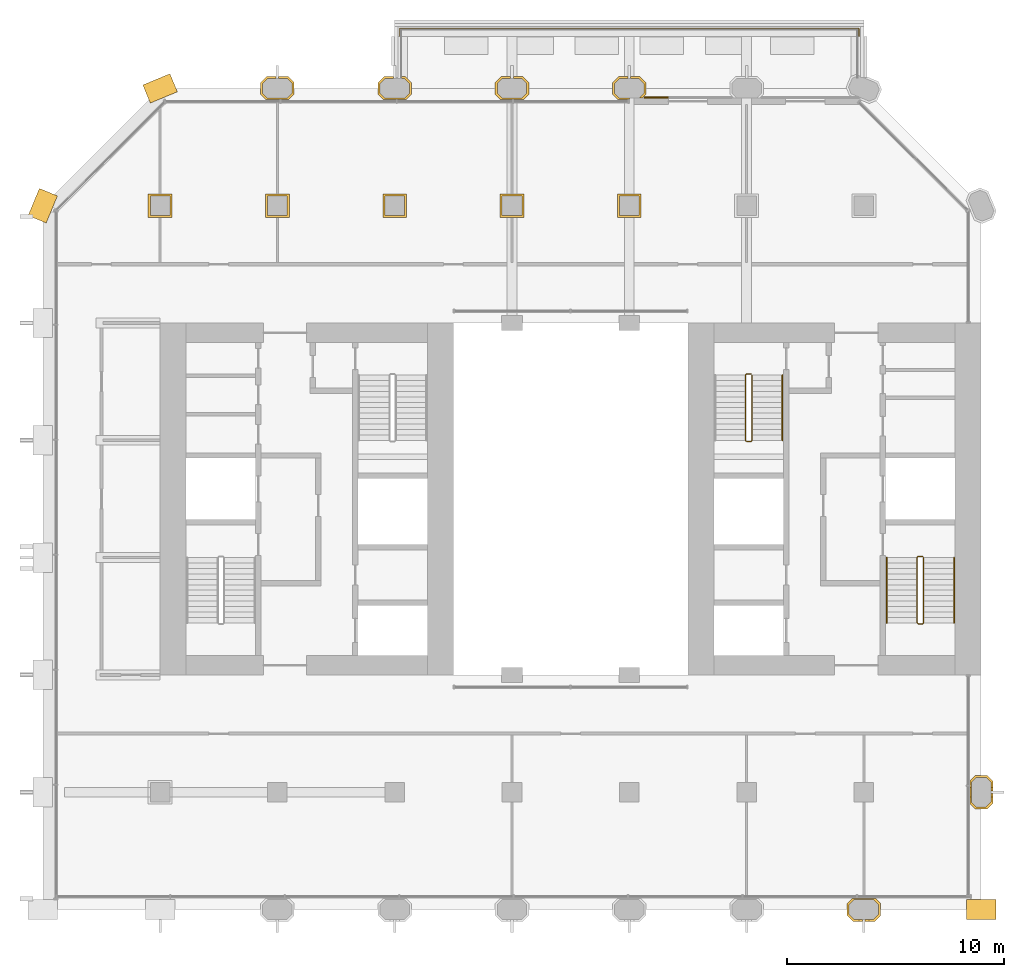
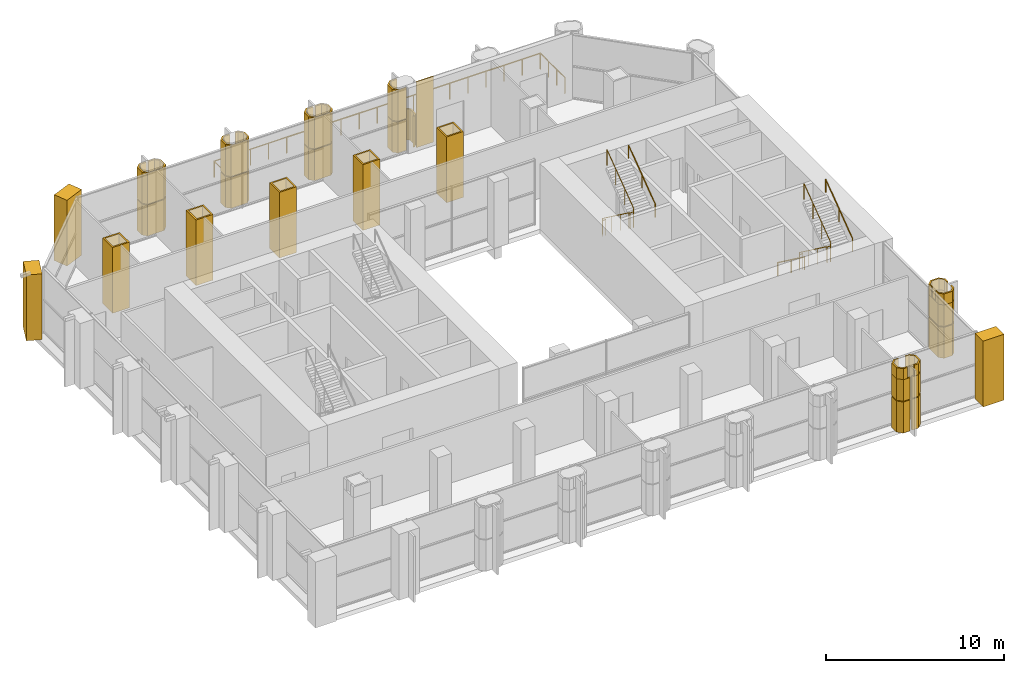
# One storey, part 14 of 15: 26 coverings, 6 railings.
"""IFC4 building model written with IfcOpenShell, lengths in metres."""

from ifc_helpers import new_model, si_unit, direction, frame, frame_2d, origin, origin_2d, place, context, subcontext, project, spatial, polyline, rectangle, circle, outline, extrude, material, layer, layer_set, type_object, element, save


model = new_model("IFC4")

# Units and contexts
model_context = context("Model", 3, precision=1e-05, world=origin(), true_north=direction((0.0, 1.0)))
body_context = subcontext(model_context, "Body", "Model", "MODEL_VIEW")
ifc_project = project(units=[si_unit("LENGTHUNIT", "METRE"), si_unit("AREAUNIT", "SQUARE_METRE"), si_unit("VOLUMEUNIT", "CUBIC_METRE"), si_unit("PLANEANGLEUNIT", "RADIAN"), si_unit("MASSUNIT", "GRAM", prefix="KILO")], contexts=[model_context])

# Site, building, storey
site_placement = place(None, origin())
site = spatial("IfcSite", under=ifc_project, at=site_placement, CompositionType="ELEMENT")
building_placement = place(site_placement, origin())
building = spatial("IfcBuilding", under=site, at=building_placement, Name="Tabaq Tower and Sports Hall", CompositionType="ELEMENT")
storey_placement = place(building_placement, frame((0.0, 0.0, 148.0)))
storey = spatial("IfcBuildingStorey", under=building, at=storey_placement, Name="L34", CompositionType="ELEMENT", Elevation=148.0)

# Coverings
ifc_material_1 = material(Name="Precast concrete C60/75", Category="concrete")
ifc_layer_1 = layer(ifc_material_1, 0.10009765625)
ifc_layer_set_1 = layer_set([ifc_layer_1], Name="Column cladding 100")
covering_type_1 = type_object("IfcCoveringType", Name="Column cladding 100", PredefinedType="CLADDING", material=ifc_layer_set_1)
covering_1_placement = place(storey_placement, origin())
element("IfcCovering", 1, at=covering_1_placement, inside=storey, type_object=covering_type_1, Name="Column cladding L34 CC-2H-S1", PredefinedType="CLADDING", context=body_context, shape_type="SweptSolid", body=[
    extrude(outline(polyline([(4.850341796875, 38.349609375), (5.94970703125, 38.349609375), (5.94970703125, 37.250244140625), (4.850341796875, 37.250244140625), (4.850341796875, 38.349609375)]), holes=[polyline([(5.850341796875, 37.349609375), (5.850341796875, 38.250244140625), (4.94970703125, 38.250244140625), (4.94970703125, 37.349609375), (5.850341796875, 37.349609375)])]), origin(), (0.0, 0.0, 1.0), 4.5),
])
covering_2_placement = place(storey_placement, origin())
element("IfcCovering", 2, at=covering_2_placement, inside=storey, type_object=covering_type_1, Name="Column cladding L34 CC-3H-S1", PredefinedType="CLADDING", context=body_context, shape_type="SweptSolid", body=[
    extrude(outline(polyline([(10.250244140625, 38.349609375), (11.349609375, 38.349609375), (11.349609375, 37.250244140625), (10.250244140625, 37.250244140625), (10.250244140625, 38.349609375)]), holes=[polyline([(11.250244140625, 37.349609375), (11.250244140625, 38.250244140625), (10.349609375, 38.250244140625), (10.349609375, 37.349609375), (11.250244140625, 37.349609375)])]), origin(), (0.0, 0.0, 1.0), 4.5),
])
for number, where, name in (
    (3, (0.0, 0.0, 0.10009765625), "Column cladding L34 PC-3I-S1"),
    (4, (0.0, 0.0, 2.280029296875), "Column cladding L34 PC-3I-S1 2"),
):
    element("IfcCovering", number, at=place(storey_placement, frame(where)), inside=storey, type_object=covering_type_1, Name=name, PredefinedType="CLADDING", context=body_context, shape_type="SweptSolid", body=[
        extrude(outline(polyline([(10.025390625, 43.46630859375), (10.30859375, 43.749755859375), (10.73974609375, 43.749755859375), (10.73974609375, 43.650390625), (10.349853515625, 43.650390625), (10.124755859375, 43.425048828125), (10.124755859375, 42.974853515625), (10.349853515625, 42.749755859375), (11.250244140625, 42.749755859375), (11.475341796875, 42.974853515625), (11.475341796875, 43.425048828125), (11.250244140625, 43.650390625), (10.8603515625, 43.650390625), (10.8603515625, 43.749755859375), (11.291259765625, 43.749755859375), (11.57470703125, 43.46630859375), (11.57470703125, 42.93359375), (11.331298828125, 42.690185546875), (10.268798828125, 42.690185546875), (10.025390625, 42.93359375), (10.025390625, 43.46630859375)])), origin(), (0.0, 0.0, 1.0), 2.119873046875),
    ])
covering_3_placement = place(storey_placement, origin())
element("IfcCovering", 5, at=covering_3_placement, inside=storey, type_object=covering_type_1, Name="Column cladding L34 CC-4H-S1", PredefinedType="CLADDING", context=body_context, shape_type="SweptSolid", body=[
    extrude(outline(polyline([(15.650390625, 38.349609375), (16.749755859375, 38.349609375), (16.749755859375, 37.250244140625), (15.650390625, 37.250244140625), (15.650390625, 38.349609375)]), holes=[polyline([(16.650390625, 37.349609375), (16.650390625, 38.250244140625), (15.749755859375, 38.250244140625), (15.749755859375, 37.349609375), (16.650390625, 37.349609375)])]), origin(), (0.0, 0.0, 1.0), 4.5),
])
for number, where, name in (
    (6, (0.0, 0.0, 0.10009765625), "Column cladding L34 PC-4I-S1"),
    (7, (0.0, 0.0, 2.280029296875), "Column cladding L34 PC-4I-S1 2"),
):
    element("IfcCovering", number, at=place(storey_placement, frame(where)), inside=storey, type_object=covering_type_1, Name=name, PredefinedType="CLADDING", context=body_context, shape_type="SweptSolid", body=[
        extrude(outline(polyline([(15.42529296875, 43.46630859375), (15.708740234375, 43.749755859375), (16.1396484375, 43.749755859375), (16.1396484375, 43.650390625), (15.749755859375, 43.650390625), (15.524658203125, 43.425048828125), (15.524658203125, 42.974853515625), (15.749755859375, 42.749755859375), (16.650146484375, 42.749755859375), (16.875244140625, 42.974853515625), (16.875244140625, 43.425048828125), (16.650146484375, 43.650390625), (16.490234375, 43.650390625), (16.490234375, 43.69970703125), (16.51025390625, 43.69970703125), (16.51025390625, 43.749755859375), (16.69140625, 43.749755859375), (16.974609375, 43.46630859375), (16.974609375, 42.93359375), (16.731201171875, 42.690185546875), (15.668701171875, 42.690185546875), (15.42529296875, 42.93359375), (15.42529296875, 43.46630859375)])), origin(), (0.0, 0.0, 1.0), 2.119873046875),
    ])
covering_4_placement = place(storey_placement, origin())
element("IfcCovering", 8, at=covering_4_placement, inside=storey, type_object=covering_type_1, Name="Column cladding L34 CC-5H-S1", PredefinedType="CLADDING", context=body_context, shape_type="SweptSolid", body=[
    extrude(outline(polyline([(21.05029296875, 38.349609375), (22.149658203125, 38.349609375), (22.149658203125, 37.250244140625), (21.05029296875, 37.250244140625), (21.05029296875, 38.349609375)]), holes=[polyline([(22.05029296875, 37.349609375), (22.05029296875, 38.250244140625), (21.149658203125, 38.250244140625), (21.149658203125, 37.349609375), (22.05029296875, 37.349609375)])]), origin(), (0.0, 0.0, 1.0), 4.5),
])
for number, where, name in (
    (9, (0.0, 0.0, 0.10009765625), "Column cladding L34 PC-5I-S1"),
    (10, (0.0, 0.0, 2.280029296875), "Column cladding L34 PC-5I-S1 2"),
):
    element("IfcCovering", number, at=place(storey_placement, frame(where)), inside=storey, type_object=covering_type_1, Name=name, PredefinedType="CLADDING", context=body_context, shape_type="SweptSolid", body=[
        extrude(outline(polyline([(20.8251953125, 43.46630859375), (21.108642578125, 43.749755859375), (21.539794921875, 43.749755859375), (21.539794921875, 43.650390625), (21.14990234375, 43.650390625), (20.9248046875, 43.425048828125), (20.9248046875, 42.974853515625), (21.14990234375, 42.749755859375), (22.050048828125, 42.749755859375), (22.275390625, 42.974853515625), (22.275390625, 43.425048828125), (22.050048828125, 43.650390625), (21.660400390625, 43.650390625), (21.660400390625, 43.749755859375), (22.09130859375, 43.749755859375), (22.374755859375, 43.46630859375), (22.374755859375, 42.93359375), (22.13134765625, 42.690185546875), (21.068603515625, 42.690185546875), (20.8251953125, 42.93359375), (20.8251953125, 43.46630859375)])), origin(), (0.0, 0.0, 1.0), 2.119873046875),
    ])
covering_5_placement = place(storey_placement, origin())
element("IfcCovering", 11, at=covering_5_placement, inside=storey, type_object=covering_type_1, Name="Column cladding L34 CC-6H-S1", PredefinedType="CLADDING", context=body_context, shape_type="SweptSolid", body=[
    extrude(outline(polyline([(26.4501953125, 38.349609375), (27.5498046875, 38.349609375), (27.5498046875, 37.250244140625), (26.4501953125, 37.250244140625), (26.4501953125, 38.349609375)]), holes=[polyline([(27.4501953125, 37.349609375), (27.4501953125, 38.250244140625), (26.5498046875, 38.250244140625), (26.5498046875, 37.349609375), (27.4501953125, 37.349609375)])]), origin(), (0.0, 0.0, 1.0), 4.5),
])
covering_6_placement = place(storey_placement, frame((0.0, 0.0, 0.10009765625)))
element("IfcCovering", 12, at=covering_6_placement, inside=storey, type_object=covering_type_1, Name="Column cladding L34 PC-6I-S1", PredefinedType="CLADDING", context=body_context, shape_type="SweptSolid", body=[
    extrude(outline(polyline([(26.225341796875, 43.46630859375), (26.5087890625, 43.749755859375), (26.939697265625, 43.749755859375), (26.939697265625, 43.650390625), (26.5498046875, 43.650390625), (26.32470703125, 43.425048828125), (26.32470703125, 42.974853515625), (26.5498046875, 42.749755859375), (26.999755859375, 42.749755859375), (26.999755859375, 42.690185546875), (26.46875, 42.690185546875), (26.225341796875, 42.93359375), (26.225341796875, 43.46630859375)])), origin(), (0.0, 0.0, 1.0), 2.119873046875),
])
covering_7_placement = place(storey_placement, frame((0.0, 0.0, 0.10009765625)))
element("IfcCovering", 13, at=covering_7_placement, inside=storey, type_object=covering_type_1, Name="Column cladding L34 PC-6I-S1 2", PredefinedType="CLADDING", context=body_context, shape_type="SweptSolid", body=[
    extrude(outline(polyline([(27.4912109375, 43.749755859375), (27.774658203125, 43.46630859375), (27.774658203125, 42.93359375), (27.59130859375, 42.750244140625), (27.45068359375, 42.750244140625), (27.67529296875, 42.974853515625), (27.67529296875, 43.425048828125), (27.4501953125, 43.650390625), (27.060302734375, 43.650390625), (27.060302734375, 43.749755859375), (27.4912109375, 43.749755859375)])), origin(), (0.0, 0.0, 1.0), 2.119873046875),
])
covering_8_placement = place(storey_placement, frame((0.0, 0.0, 2.280029296875)))
element("IfcCovering", 14, at=covering_8_placement, inside=storey, type_object=covering_type_1, Name="Column cladding L34 PC-6I-S1 2", PredefinedType="CLADDING", context=body_context, shape_type="SweptSolid", body=[
    extrude(outline(polyline([(26.225341796875, 43.46630859375), (26.5087890625, 43.749755859375), (26.939697265625, 43.749755859375), (26.939697265625, 43.650390625), (26.5498046875, 43.650390625), (26.32470703125, 43.425048828125), (26.32470703125, 42.974853515625), (26.5498046875, 42.749755859375), (26.999755859375, 42.749755859375), (26.999755859375, 42.690185546875), (26.46875, 42.690185546875), (26.225341796875, 42.93359375), (26.225341796875, 43.46630859375)])), origin(), (0.0, 0.0, 1.0), 2.119873046875),
])
covering_9_placement = place(storey_placement, frame((0.0, 0.0, 0.10009765625)))
element("IfcCovering", 15, at=covering_9_placement, inside=storey, type_object=covering_type_1, Name="Column cladding L34 PC-8B-S1", PredefinedType="CLADDING", context=body_context, shape_type="SweptSolid", body=[
    extrude(outline(polyline([(37.025390625, 5.666259765625), (37.268798828125, 5.90966796875), (38.331298828125, 5.90966796875), (38.57470703125, 5.666259765625), (38.57470703125, 5.1337890625), (38.291259765625, 4.850341796875), (37.8603515625, 4.850341796875), (37.8603515625, 4.94970703125), (38.250244140625, 4.94970703125), (38.475341796875, 5.1748046875), (38.475341796875, 5.625244140625), (38.250244140625, 5.850341796875), (37.349853515625, 5.850341796875), (37.124755859375, 5.625244140625), (37.124755859375, 5.1748046875), (37.349853515625, 4.94970703125), (37.73974609375, 4.94970703125), (37.73974609375, 4.850341796875), (37.30859375, 4.850341796875), (37.025390625, 5.1337890625), (37.025390625, 5.666259765625)])), origin(), (0.0, 0.0, 1.0), 2.119873046875),
])
covering_10_placement = place(storey_placement, frame((0.0, 0.0, 2.280029296875)))
element("IfcCovering", 16, at=covering_10_placement, inside=storey, type_object=covering_type_1, Name="Column cladding L34 PC-8B-S1 2", PredefinedType="CLADDING", context=body_context, shape_type="SweptSolid", body=[
    extrude(outline(polyline([(37.025390625, 5.666259765625), (37.268798828125, 5.90966796875), (38.331298828125, 5.90966796875), (38.57470703125, 5.666259765625), (38.57470703125, 5.1337890625), (38.291259765625, 4.850341796875), (37.8603515625, 4.850341796875), (37.8603515625, 4.94970703125), (38.250244140625, 4.94970703125), (38.475341796875, 5.1748046875), (38.475341796875, 5.625244140625), (38.250244140625, 5.850341796875), (37.349853515625, 5.850341796875), (37.124755859375, 5.625244140625), (37.124755859375, 5.1748046875), (37.349853515625, 4.94970703125), (37.73974609375, 4.94970703125), (37.73974609375, 4.850341796875), (37.30859375, 4.850341796875), (37.025390625, 5.1337890625), (37.025390625, 5.666259765625)])), origin(), (0.0, 0.0, 1.0), 1.469970703125),
])
covering_11_placement = place(storey_placement, frame((0.0, 0.0, 3.75)))
element("IfcCovering", 17, at=covering_11_placement, inside=storey, type_object=covering_type_1, Name="Column cladding L34 PC-8B-S1 head", PredefinedType="CLADDING", context=body_context, shape_type="SweptSolid", body=[
    extrude(outline(polyline([(38.331298828125, 5.90966796875), (38.57470703125, 5.666259765625), (38.57470703125, 5.1337890625), (38.291259765625, 4.850341796875), (38.025390625, 4.850341796875), (38.025390625, 4.94970703125), (38.250244140625, 4.94970703125), (38.475341796875, 5.1748046875), (38.475341796875, 5.625244140625), (38.250244140625, 5.850341796875), (38.025390625, 5.850341796875), (38.025390625, 5.90966796875), (38.331298828125, 5.90966796875)])), origin(), (0.0, 0.0, 1.0), 0.75),
])
covering_12_placement = place(storey_placement, frame((0.0, 0.0, 3.75)))
element("IfcCovering", 18, at=covering_12_placement, inside=storey, type_object=covering_type_1, Name="Column cladding L34 PC-8B-S1 head 2", PredefinedType="CLADDING", context=body_context, shape_type="SweptSolid", body=[
    extrude(outline(polyline([(37.268798828125, 5.90966796875), (37.57470703125, 5.90966796875), (37.57470703125, 5.850341796875), (37.349853515625, 5.850341796875), (37.124755859375, 5.625244140625), (37.124755859375, 5.1748046875), (37.349853515625, 4.94970703125), (37.57470703125, 4.94970703125), (37.57470703125, 4.850341796875), (37.30859375, 4.850341796875), (37.025390625, 5.1337890625), (37.025390625, 5.666259765625), (37.268798828125, 5.90966796875)])), origin(), (0.0, 0.0, 1.0), 0.75),
])
covering_13_placement = place(storey_placement, frame((0.0, 0.0, 0.10009765625)))
element("IfcCovering", 19, at=covering_13_placement, inside=storey, type_object=covering_type_1, Name="Column cladding L34 PC-9C-S1", PredefinedType="CLADDING", context=body_context, shape_type="SweptSolid", body=[
    extrude(outline(polyline([(42.93359375, 10.025390625), (42.690185546875, 10.268798828125), (42.690185546875, 11.331298828125), (42.93359375, 11.57470703125), (43.46630859375, 11.57470703125), (43.749755859375, 11.291259765625), (43.749755859375, 10.8603515625), (43.650390625, 10.8603515625), (43.650390625, 11.250244140625), (43.425048828125, 11.475341796875), (42.974853515625, 11.475341796875), (42.749755859375, 11.250244140625), (42.749755859375, 10.349853515625), (42.974853515625, 10.124755859375), (43.425048828125, 10.124755859375), (43.650390625, 10.349853515625), (43.650390625, 10.73974609375), (43.749755859375, 10.73974609375), (43.749755859375, 10.30859375), (43.46630859375, 10.025390625), (42.93359375, 10.025390625)])), origin(), (0.0, 0.0, 1.0), 2.119873046875),
])
covering_14_placement = place(storey_placement, frame((0.0, 0.0, 2.280029296875)))
element("IfcCovering", 20, at=covering_14_placement, inside=storey, type_object=covering_type_1, Name="Column cladding L34 PC-9C-S1 2", PredefinedType="CLADDING", context=body_context, shape_type="SweptSolid", body=[
    extrude(outline(polyline([(42.93359375, 10.025390625), (42.690185546875, 10.268798828125), (42.690185546875, 11.331298828125), (42.93359375, 11.57470703125), (43.46630859375, 11.57470703125), (43.749755859375, 11.291259765625), (43.749755859375, 10.8603515625), (43.650390625, 10.8603515625), (43.650390625, 11.250244140625), (43.425048828125, 11.475341796875), (42.974853515625, 11.475341796875), (42.749755859375, 11.250244140625), (42.749755859375, 10.349853515625), (42.974853515625, 10.124755859375), (43.425048828125, 10.124755859375), (43.650390625, 10.349853515625), (43.650390625, 10.73974609375), (43.749755859375, 10.73974609375), (43.749755859375, 10.30859375), (43.46630859375, 10.025390625), (42.93359375, 10.025390625)])), origin(), (0.0, 0.0, 1.0), 1.469970703125),
])
covering_15_placement = place(storey_placement, frame((0.0, 0.0, 3.75)))
element("IfcCovering", 21, at=covering_15_placement, inside=storey, type_object=covering_type_1, Name="Column cladding L34 PC-9C-S1 head", PredefinedType="CLADDING", context=body_context, shape_type="SweptSolid", body=[
    extrude(outline(polyline([(42.690185546875, 10.268798828125), (42.690185546875, 10.57470703125), (42.749755859375, 10.57470703125), (42.749755859375, 10.349853515625), (42.974853515625, 10.124755859375), (43.425048828125, 10.124755859375), (43.650390625, 10.349853515625), (43.650390625, 10.57470703125), (43.749755859375, 10.57470703125), (43.749755859375, 10.30859375), (43.46630859375, 10.025390625), (42.93359375, 10.025390625), (42.690185546875, 10.268798828125)])), origin(), (0.0, 0.0, 1.0), 0.75),
])
covering_16_placement = place(storey_placement, frame((0.0, 0.0, 3.75)))
element("IfcCovering", 22, at=covering_16_placement, inside=storey, type_object=covering_type_1, Name="Column cladding L34 PC-9C-S1 head 2", PredefinedType="CLADDING", context=body_context, shape_type="SweptSolid", body=[
    extrude(outline(polyline([(42.690185546875, 11.331298828125), (42.93359375, 11.57470703125), (43.46630859375, 11.57470703125), (43.749755859375, 11.291259765625), (43.749755859375, 11.025390625), (43.650390625, 11.025390625), (43.650390625, 11.250244140625), (43.425048828125, 11.475341796875), (42.974853515625, 11.475341796875), (42.749755859375, 11.250244140625), (42.749755859375, 11.025390625), (42.690185546875, 11.025390625), (42.690185546875, 11.331298828125)])), origin(), (0.0, 0.0, 1.0), 0.75),
])

# Railing
ifc_material_2 = material(Name="Stainless steel S316 and laminated glass", Category="steel")
railing_type_1 = type_object("IfcRailingType", Name="Guard 1100 steel and glass", PredefinedType="GUARDRAIL", material=ifc_material_2)
railing_1_placement = place(storey_placement, frame((37.550048828125, 43.199951171875, 0.0)))
element("IfcRailing", 23, at=railing_1_placement, inside=storey, type_object=railing_type_1, Name="Tray guard L34", PredefinedType="GUARDRAIL", context=body_context, shape_type="SweptSolid", body=[
    extrude(circle(Radius=0.02490234375, at=origin_2d()), frame((0.0, 0.0, 1.0751953125), z_axis=(0.0, 1.0, 0.0), x_axis=(-1.0, 0.0, 0.0)), (0.0, 0.0, 1.0), 2.75),
    extrude(circle(Radius=0.02490234375, at=origin_2d()), frame((0.0, 2.75, 1.0751953125), z_axis=(-1.0, 0.0, 0.0), x_axis=(0.0, -1.0, 0.0)), (0.0, 0.0, 1.0), 21.10009765625),
    extrude(circle(Radius=0.02490234375, at=origin_2d()), frame((-21.10009765625, 2.75, 1.0751953125), z_axis=(0.0, -1.0, 0.0), x_axis=(1.0, 0.0, 0.0)), (0.0, 0.0, 1.0), 2.75),
    extrude(circle(Radius=0.02001953125, at=origin_2d()), origin(), (0.0, 0.0, 1.0), 1.050048828125),
    extrude(circle(Radius=0.02001953125, at=origin_2d()), frame((0.0, 0.916748046875, 0.0)), (0.0, 0.0, 1.0), 1.050048828125),
    extrude(circle(Radius=0.02001953125, at=origin_2d()), frame((0.0, 1.833251953125, 0.0)), (0.0, 0.0, 1.0), 1.050048828125),
    extrude(circle(Radius=0.02001953125, at=origin_2d()), frame((0.0, 2.75, 0.0)), (0.0, 0.0, 1.0), 1.050048828125),
    extrude(circle(Radius=0.02001953125, at=origin_2d()), frame((-1.172119140625, 2.75, 0.0)), (0.0, 0.0, 1.0), 1.050048828125),
    extrude(circle(Radius=0.02001953125, at=origin_2d()), frame((-2.344482421875, 2.75, 0.0)), (0.0, 0.0, 1.0), 1.050048828125),
    extrude(circle(Radius=0.02001953125, at=origin_2d()), frame((-3.5166015625, 2.75, 0.0)), (0.0, 0.0, 1.0), 1.050048828125),
    extrude(circle(Radius=0.02001953125, at=origin_2d()), frame((-4.68896484375, 2.75, 0.0)), (0.0, 0.0, 1.0), 1.050048828125),
    extrude(circle(Radius=0.02001953125, at=origin_2d()), frame((-5.861083984375, 2.75, 0.0)), (0.0, 0.0, 1.0), 1.050048828125),
    extrude(circle(Radius=0.02001953125, at=origin_2d()), frame((-7.033447265625, 2.75, 0.0)), (0.0, 0.0, 1.0), 1.050048828125),
    extrude(circle(Radius=0.02001953125, at=origin_2d()), frame((-8.20556640625, 2.75, 0.0)), (0.0, 0.0, 1.0), 1.050048828125),
    extrude(circle(Radius=0.02001953125, at=origin_2d()), frame((-9.3779296875, 2.75, 0.0)), (0.0, 0.0, 1.0), 1.050048828125),
    extrude(circle(Radius=0.02001953125, at=origin_2d()), frame((-10.550048828125, 2.75, 0.0)), (0.0, 0.0, 1.0), 1.050048828125),
    extrude(circle(Radius=0.02001953125, at=origin_2d()), frame((-11.72216796875, 2.75, 0.0)), (0.0, 0.0, 1.0), 1.050048828125),
    extrude(circle(Radius=0.02001953125, at=origin_2d()), frame((-12.89453125, 2.75, 0.0)), (0.0, 0.0, 1.0), 1.050048828125),
    extrude(circle(Radius=0.02001953125, at=origin_2d()), frame((-14.066650390625, 2.75, 0.0)), (0.0, 0.0, 1.0), 1.050048828125),
    extrude(circle(Radius=0.02001953125, at=origin_2d()), frame((-15.239013671875, 2.75, 0.0)), (0.0, 0.0, 1.0), 1.050048828125),
    extrude(circle(Radius=0.02001953125, at=origin_2d()), frame((-16.4111328125, 2.75, 0.0)), (0.0, 0.0, 1.0), 1.050048828125),
    extrude(circle(Radius=0.02001953125, at=origin_2d()), frame((-17.58349609375, 2.75, 0.0)), (0.0, 0.0, 1.0), 1.050048828125),
    extrude(circle(Radius=0.02001953125, at=origin_2d()), frame((-18.755615234375, 2.75, 0.0)), (0.0, 0.0, 1.0), 1.050048828125),
    extrude(circle(Radius=0.02001953125, at=origin_2d()), frame((-19.927978515625, 2.75, 0.0)), (0.0, 0.0, 1.0), 1.050048828125),
    extrude(circle(Radius=0.02001953125, at=origin_2d()), frame((-21.10009765625, 2.75, 0.0)), (0.0, 0.0, 1.0), 1.050048828125),
    extrude(circle(Radius=0.02001953125, at=origin_2d()), frame((-21.10009765625, 1.833251953125, 0.0)), (0.0, 0.0, 1.0), 1.050048828125),
    extrude(circle(Radius=0.02001953125, at=origin_2d()), frame((-21.10009765625, 0.916748046875, 0.0)), (0.0, 0.0, 1.0), 1.050048828125),
    extrude(circle(Radius=0.02001953125, at=origin_2d()), frame((-21.10009765625, 0.0, 0.0)), (0.0, 0.0, 1.0), 1.050048828125),
])

# Coverings
ifc_material_3 = material(Name="White precast concrete C60/75", Category="concrete")
covering_type_2 = type_object("IfcCoveringType", Name="Pier cladding hung 1350x900", PredefinedType="CLADDING", material=ifc_material_3)
for number, where, z_axis, x_axis, name in (
    (24, (0.25830078125, 38.423583984375, 0.0), (0.0, 0.0, 1.0), (-0.382649923473, -0.923893411637, 0.0), "Hung pier cladding 0/7"),
    (25, (6.023681640625, 43.458251953125, 0.0), (0.0, 0.0, 1.0), (-0.923893411637, -0.382649923473, 0.0), "Hung pier cladding 1/8"),
    (26, (42.52490234375, 5.39990234375, 0.0), (0.0, 0.0, 1.0), (1.0, 0.0, 0.0), "Hung pier cladding 8/1"),
):
    element("IfcCovering", number, at=place(storey_placement, frame(where, z_axis=z_axis, x_axis=x_axis)), inside=storey, type_object=covering_type_2, Name=name, PredefinedType="CLADDING", context=body_context, shape_type="SweptSolid", body=[
        extrude(rectangle(XDim=1.35009765625, YDim=0.89990234375, at=frame_2d((0.675048828125, 0.0))), origin(), (0.0, 0.0, 1.0), 4.5),
    ])

# Railings
ifc_material_4 = material(Name="Stainless steel", Category="steel")
railing_type_2 = type_object("IfcRailingType", Name="Stair guard", PredefinedType="GUARDRAIL", material=ifc_material_4)
railing_2_placement = place(storey_placement, frame((40.5, 21.64990234375, 0.0)))
element("IfcRailing", 27, at=railing_2_placement, inside=storey, type_object=railing_type_2, Name="L34 ST3 stair guard 1", PredefinedType="GUARDRAIL", context=body_context, shape_type="SweptSolid", body=[
    extrude(circle(Radius=0.02392578125, at=origin_2d()), frame((0.0, 0.0, 1.076171875), z_axis=(-1.0, 0.0, 0.0), x_axis=(0.0, -1.0, 0.0)), (0.0, 0.0, 1.0), 0.199951171875),
    extrude(circle(Radius=0.02392578125, at=origin_2d()), frame((-0.199951171875, 0.0, 1.076171875), z_axis=(-0.253264628505, -0.252029191293, 0.933990532438), x_axis=(0.705375805398, -0.708833529934, 0.0)), (0.0, 0.0, 1.0), 0.197509765625),
    extrude(circle(Radius=0.02392578125, at=origin_2d()), frame((-0.25, -0.0498046875, 1.2607421875), z_axis=(0.0, -0.804440004972, 0.594033903411), x_axis=(1.0, 0.0, 0.0)), (0.0, 0.0, 1.0), 3.729248046875),
    extrude(circle(Radius=0.02392578125, at=origin_2d()), frame((-0.25, -3.0498046875, 3.47607421875), z_axis=(0.707106781187, -0.707106781187, 0.0), x_axis=(0.707106781187, 0.707106781187, 0.0)), (0.0, 0.0, 1.0), 0.07080078125),
    extrude(circle(Radius=0.02392578125, at=origin_2d()), frame((-0.199951171875, -3.099853515625, 3.47607421875), z_axis=(1.0, 0.0, 0.0), x_axis=(0.0, 1.0, 0.0)), (0.0, 0.0, 1.0), 0.199951171875),
    extrude(circle(Radius=0.02392578125, at=origin_2d()), frame((0.0, -3.099853515625, 3.47607421875), z_axis=(0.252893960547, 0.252893960547, 0.933857210411), x_axis=(-0.707106781187, 0.707106781187, 0.0)), (0.0, 0.0, 1.0), 0.197998046875),
    extrude(circle(Radius=0.02392578125, at=origin_2d()), frame((0.050048828125, -3.0498046875, 3.66064453125), z_axis=(0.0, 0.804440004972, 0.594033903411), x_axis=(-1.0, 0.0, 0.0)), (0.0, 0.0, 1.0), 3.729248046875),
    extrude(circle(Radius=0.02099609375, at=origin_2d()), origin(), (0.0, 0.0, 1.0), 1.052001953125),
    extrude(circle(Radius=0.02099609375, at=origin_2d()), frame((-0.199951171875, 0.0, 0.0)), (0.0, 0.0, 1.0), 1.052001953125),
    extrude(circle(Radius=0.02099609375, at=origin_2d()), frame((-0.25, -0.0498046875, 0.1845703125)), (0.0, 0.0, 1.0), 1.052001953125),
    extrude(circle(Radius=0.02099609375, at=origin_2d()), frame((-0.25, -1.0498046875, 0.923095703125)), (0.0, 0.0, 1.0), 1.052001953125),
    extrude(circle(Radius=0.02099609375, at=origin_2d()), frame((-0.25, -2.0498046875, 1.661376953125)), (0.0, 0.0, 1.0), 1.052001953125),
    extrude(circle(Radius=0.02099609375, at=origin_2d()), frame((-0.25, -3.0498046875, 2.39990234375)), (0.0, 0.0, 1.0), 1.052001953125),
    extrude(circle(Radius=0.02099609375, at=origin_2d()), frame((-0.199951171875, -3.099853515625, 2.39990234375)), (0.0, 0.0, 1.0), 1.052001953125),
    extrude(circle(Radius=0.02099609375, at=origin_2d()), frame((0.0, -3.099853515625, 2.39990234375)), (0.0, 0.0, 1.0), 1.052001953125),
    extrude(circle(Radius=0.02099609375, at=origin_2d()), frame((0.050048828125, -3.0498046875, 2.584716796875)), (0.0, 0.0, 1.0), 1.052001953125),
    extrude(circle(Radius=0.02099609375, at=origin_2d()), frame((0.050048828125, -2.0498046875, 3.3232421875)), (0.0, 0.0, 1.0), 1.052001953125),
    extrude(circle(Radius=0.02099609375, at=origin_2d()), frame((0.050048828125, -1.0498046875, 4.0615234375)), (0.0, 0.0, 1.0), 1.052001953125),
    extrude(circle(Radius=0.02099609375, at=origin_2d()), frame((0.050048828125, -0.0498046875, 4.800048828125)), (0.0, 0.0, 1.0), 1.052001953125),
])
railing_3_placement = place(storey_placement, frame((32.60009765625, 30.050048828125, 0.0)))
element("IfcRailing", 28, at=railing_3_placement, inside=storey, type_object=railing_type_2, Name="L34 ST4 stair guard 1", PredefinedType="GUARDRAIL", context=body_context, shape_type="SweptSolid", body=[
    extrude(circle(Radius=0.02392578125, at=origin_2d()), frame((0.0, 0.0, 1.076171875), z_axis=(-1.0, 0.0, 0.0), x_axis=(0.0, -1.0, 0.0)), (0.0, 0.0, 1.0), 0.2001953125),
    extrude(circle(Radius=0.02392578125, at=origin_2d()), frame((-0.2001953125, 0.0, 1.076171875), z_axis=(-0.252029191293, -0.253264628505, 0.933990532438), x_axis=(0.708833529934, -0.705375805398, 0.0)), (0.0, 0.0, 1.0), 0.197509765625),
    extrude(circle(Radius=0.02392578125, at=origin_2d()), frame((-0.25, -0.050048828125, 1.2607421875), z_axis=(0.0, -0.804440004972, 0.594033903411), x_axis=(1.0, 0.0, 0.0)), (0.0, 0.0, 1.0), 3.729248046875),
    extrude(circle(Radius=0.02392578125, at=origin_2d()), frame((-0.25, -3.050048828125, 3.47607421875), z_axis=(0.705375805398, -0.708833529934, 0.0), x_axis=(0.708833529934, 0.705375805398, 0.0)), (0.0, 0.0, 1.0), 0.070556640625),
    extrude(circle(Radius=0.02392578125, at=origin_2d()), frame((-0.2001953125, -3.10009765625, 3.47607421875), z_axis=(1.0, 0.0, 0.0), x_axis=(0.0, 1.0, 0.0)), (0.0, 0.0, 1.0), 0.2001953125),
    extrude(circle(Radius=0.02392578125, at=origin_2d()), frame((0.0, -3.10009765625, 3.47607421875), z_axis=(0.251738688881, 0.252972702061, 0.934147977856), x_axis=(-0.708833529934, 0.705375805398, 0.0)), (0.0, 0.0, 1.0), 0.19775390625),
    extrude(circle(Radius=0.02392578125, at=origin_2d()), frame((0.0498046875, -3.050048828125, 3.66064453125), z_axis=(0.0, 0.804440004972, 0.594033903411), x_axis=(-1.0, 0.0, 0.0)), (0.0, 0.0, 1.0), 3.729248046875),
    extrude(circle(Radius=0.02099609375, at=origin_2d()), origin(), (0.0, 0.0, 1.0), 1.052001953125),
    extrude(circle(Radius=0.02099609375, at=origin_2d()), frame((-0.2001953125, 0.0, 0.0)), (0.0, 0.0, 1.0), 1.052001953125),
    extrude(circle(Radius=0.02099609375, at=origin_2d()), frame((-0.25, -0.050048828125, 0.1845703125)), (0.0, 0.0, 1.0), 1.052001953125),
    extrude(circle(Radius=0.02099609375, at=origin_2d()), frame((-0.25, -1.050048828125, 0.923095703125)), (0.0, 0.0, 1.0), 1.052001953125),
    extrude(circle(Radius=0.02099609375, at=origin_2d()), frame((-0.25, -2.050048828125, 1.661376953125)), (0.0, 0.0, 1.0), 1.052001953125),
    extrude(circle(Radius=0.02099609375, at=origin_2d()), frame((-0.25, -3.050048828125, 2.39990234375)), (0.0, 0.0, 1.0), 1.052001953125),
    extrude(circle(Radius=0.02099609375, at=origin_2d()), frame((-0.2001953125, -3.10009765625, 2.39990234375)), (0.0, 0.0, 1.0), 1.052001953125),
    extrude(circle(Radius=0.02099609375, at=origin_2d()), frame((0.0, -3.10009765625, 2.39990234375)), (0.0, 0.0, 1.0), 1.052001953125),
    extrude(circle(Radius=0.02099609375, at=origin_2d()), frame((0.0498046875, -3.050048828125, 2.584716796875)), (0.0, 0.0, 1.0), 1.052001953125),
    extrude(circle(Radius=0.02099609375, at=origin_2d()), frame((0.0498046875, -2.050048828125, 3.3232421875)), (0.0, 0.0, 1.0), 1.052001953125),
    extrude(circle(Radius=0.02099609375, at=origin_2d()), frame((0.0498046875, -1.050048828125, 4.0615234375)), (0.0, 0.0, 1.0), 1.052001953125),
    extrude(circle(Radius=0.02099609375, at=origin_2d()), frame((0.0498046875, -0.050048828125, 4.800048828125)), (0.0, 0.0, 1.0), 1.052001953125),
])
ifc_material_5 = material(Name="Stainless steel", Category="steel")
railing_type_3 = type_object("IfcRailingType", Name="Stair handrail", PredefinedType="HANDRAIL", material=ifc_material_5)
railing_4_placement = place(storey_placement, frame((38.85009765625, 21.60009765625, 0.1845703125)))
element("IfcRailing", 29, at=railing_4_placement, inside=storey, type_object=railing_type_3, Name="L34 ST3 stair handrail 1", PredefinedType="HANDRAIL", context=body_context, shape_type="SweptSolid", body=[
    extrude(circle(Radius=0.02392578125, at=origin_2d()), frame((0.0, 0.0, 0.8759765625), z_axis=(0.0, -0.804440004972, 0.594033903411), x_axis=(1.0, 0.0, 0.0)), (0.0, 0.0, 1.0), 3.729248046875),
    extrude(circle(Radius=0.02099609375, at=origin_2d()), origin(), (0.0, 0.0, 1.0), 0.851806640625),
    extrude(circle(Radius=0.02099609375, at=origin_2d()), frame((0.0, -1.5, 1.107666015625)), (0.0, 0.0, 1.0), 0.851806640625),
    extrude(circle(Radius=0.02099609375, at=origin_2d()), frame((0.0, -3.0, 2.21533203125)), (0.0, 0.0, 1.0), 0.851806640625),
])
for number, where, name in (
    (30, (41.949951171875, 18.60009765625, 2.584716796875), "L34 ST3 stair handrail 2"),
    (31, (34.050048828125, 27.0, 2.584716796875), "L34 ST4 stair handrail 2"),
):
    element("IfcRailing", number, at=place(storey_placement, frame(where)), inside=storey, type_object=railing_type_3, Name=name, PredefinedType="HANDRAIL", context=body_context, shape_type="SweptSolid", body=[
        extrude(circle(Radius=0.02392578125, at=origin_2d()), frame((0.0, 0.0, 0.8759765625), z_axis=(0.0, 0.804440004972, 0.594033903411), x_axis=(-1.0, 0.0, 0.0)), (0.0, 0.0, 1.0), 3.729248046875),
        extrude(circle(Radius=0.02099609375, at=origin_2d()), origin(), (0.0, 0.0, 1.0), 0.851806640625),
        extrude(circle(Radius=0.02099609375, at=origin_2d()), frame((0.0, 1.5, 1.107666015625)), (0.0, 0.0, 1.0), 0.851806640625),
        extrude(circle(Radius=0.02099609375, at=origin_2d()), frame((0.0, 3.0, 2.21533203125)), (0.0, 0.0, 1.0), 0.851806640625),
    ])

# Covering
ifc_material_6 = material(Name="Precast concrete C60/75", Category="concrete")
ifc_layer_2 = layer(ifc_material_6, 0.06005859375)
ifc_layer_set_2 = layer_set([ifc_layer_2], Name="White precast cladding panel 60 C60/75")
covering_type_3 = type_object("IfcCoveringType", Name="White precast cladding panel 60 C60/75", PredefinedType="CLADDING", material=ifc_layer_set_2)
covering_17_placement = place(storey_placement, frame((28.7900390625, 42.780029296875, 0.0), z_axis=(0.0, 0.0, 1.0), x_axis=(-1.0, 0.0, 0.0)))
element("IfcCovering", 32, at=covering_17_placement, inside=storey, type_object=covering_type_3, Name="White precast cladding panel L34 infill03-0-0 6", PredefinedType="CLADDING", context=body_context, shape_type="SweptSolid", body=[
    extrude(rectangle(XDim=1.10498046875, YDim=0.06005859375, at=frame_2d((0.552490234375, 0.0))), origin(), (0.0, 0.0, 1.0), 4.5),
])

save(model, "model.ifc")
